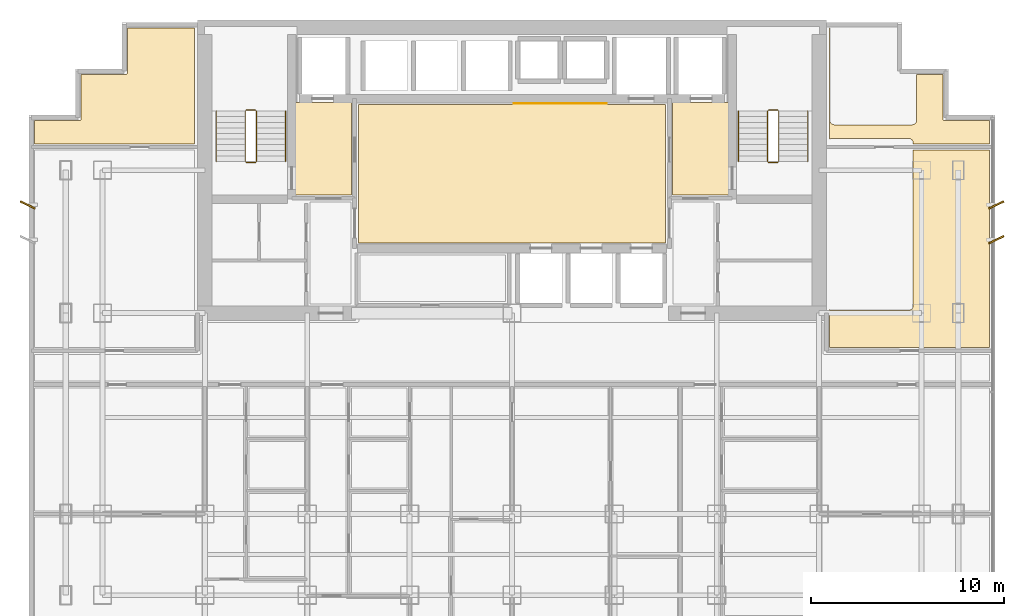
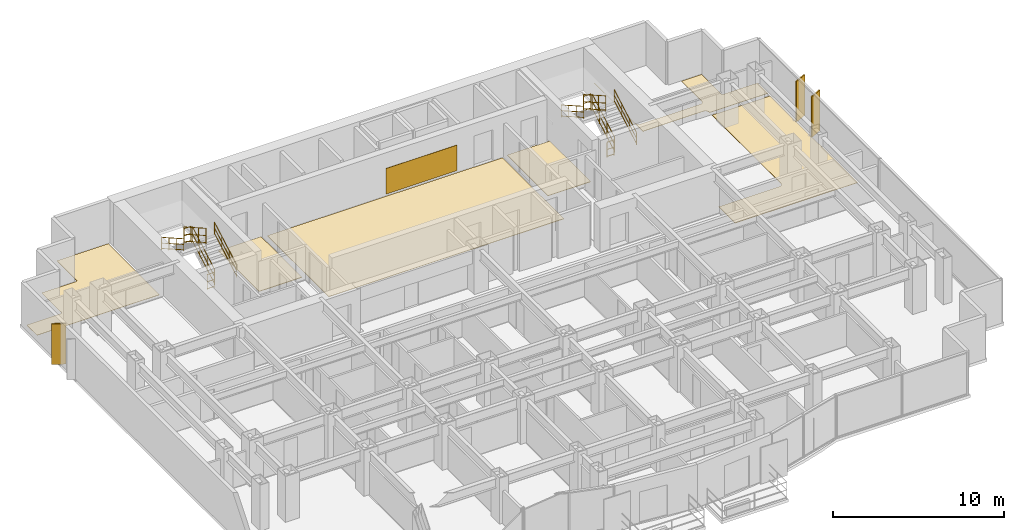
# One storey, part 12 of 12: 12 railings, 7 coverings, 3 shading devices.
"""IFC4 building model written with IfcOpenShell, lengths in metres."""

from ifc_helpers import new_model, si_unit, direction, frame, origin, origin_2d, place, context, subcontext, project, spatial, polyline, rectangle, circle, outline, extrude, source, transform, mapped, material, layer, layer_set, type_object, element, save


model = new_model("IFC4")

# Units and contexts
model_context = context("Model", 3, precision=1e-05, world=origin(), true_north=direction((0.0, 1.0)))
body_context = subcontext(model_context, "Body", "Model", "MODEL_VIEW")
ifc_project = project(units=[si_unit("LENGTHUNIT", "METRE"), si_unit("AREAUNIT", "SQUARE_METRE"), si_unit("VOLUMEUNIT", "CUBIC_METRE"), si_unit("PLANEANGLEUNIT", "RADIAN"), si_unit("MASSUNIT", "GRAM", prefix="KILO")], contexts=[model_context])

# Site, building, storey
site_placement = place(None, origin())
site = spatial("IfcSite", under=ifc_project, at=site_placement, CompositionType="ELEMENT")
building_placement = place(site_placement, origin())
building = spatial("IfcBuilding", under=site, at=building_placement, Name="Qianlan Lanfeng Residences", CompositionType="ELEMENT")
storey_placement = place(building_placement, frame((0.0, 0.0, 121.300048828125)))
storey = spatial("IfcBuildingStorey", under=building, at=storey_placement, Name="L33", CompositionType="ELEMENT", Elevation=121.300048828125)

# Coverings
ifc_material_1 = material(Name="Anodised Bronze Feature Wall Cladding")
ifc_layer_1 = layer(ifc_material_1, 0.02490234375)
ifc_layer_set_1 = layer_set([ifc_layer_1], Name="Anodised Bronze Feature Wall Cladding")
covering_type_1 = type_object("IfcCoveringType", Name="CLD-BRZ-25", PredefinedType="CLADDING", material=ifc_layer_set_1)
covering_1_placement = place(storey_placement, frame((0.0, 0.0, 0.14990234375)))
element("IfcCovering", 1, at=covering_1_placement, inside=storey, type_object=covering_type_1, Name="L33 Lift Lobby Bronze Feature Cladding", PredefinedType="CLADDING", context=body_context, shape_type="SweptSolid", body=[
    extrude(outline(polyline([(26.60009765625, 36.050048828125), (31.39990234375, 36.050048828125), (31.39990234375, 36.074951171875), (26.60009765625, 36.074951171875), (26.60009765625, 36.050048828125)])), origin(), (0.0, 0.0, 1.0), 1.830078125),
])
ifc_material_2 = material(Name="Honed Taitung Granite Stone Flooring", Category="masonry")
ifc_layer_2 = layer(ifc_material_2, 0.030029296875)
ifc_layer_set_2 = layer_set([ifc_layer_2], Name="Honed Taitung Granite Stone Flooring")
covering_type_2 = type_object("IfcCoveringType", Name="FLR-STN-30", PredefinedType="FLOORING", material=ifc_layer_set_2)
covering_2_placement = place(storey_placement, origin())
element("IfcCovering", 2, at=covering_2_placement, inside=storey, type_object=covering_type_2, Name="L33 Firefighting Lift Lobby Floor Finish", PredefinedType="FLOORING", context=body_context, shape_type="SweptSolid", body=[
    extrude(outline(polyline([(15.2900390625, 31.320068359375), (18.179931640625, 31.320068359375), (18.179931640625, 36.110107421875), (15.2900390625, 36.110107421875), (15.2900390625, 31.320068359375)])), origin(), (0.0, 0.0, 1.0), 0.030029296875),
])
covering_3_placement = place(storey_placement, origin())
element("IfcCovering", 3, at=covering_3_placement, inside=storey, type_object=covering_type_2, Name="L33 Firefighting Lift Lobby Floor Finish", PredefinedType="FLOORING", context=body_context, shape_type="SweptSolid", body=[
    extrude(outline(polyline([(34.820068359375, 31.320068359375), (37.7099609375, 31.320068359375), (37.7099609375, 36.110107421875), (34.820068359375, 36.110107421875), (34.820068359375, 31.320068359375)])), origin(), (0.0, 0.0, 1.0), 0.030029296875),
])
covering_4_placement = place(storey_placement, origin())
element("IfcCovering", 4, at=covering_4_placement, inside=storey, type_object=covering_type_2, Name="L33 Lift Lobby Floor Finish", PredefinedType="FLOORING", context=body_context, shape_type="SweptSolid", body=[
    extrude(outline(polyline([(18.550048828125, 28.820068359375), (34.449951171875, 28.820068359375), (34.449951171875, 36.010009765625), (18.550048828125, 36.010009765625), (18.550048828125, 28.820068359375)])), origin(), (0.0, 0.0, 1.0), 0.030029296875),
])
ifc_material_3 = material(Name="Engineered Smoked Oak Timber Flooring", Category="wood")
ifc_layer_3 = layer(ifc_material_3, 0.02197265625)
ifc_layer_set_3 = layer_set([ifc_layer_3], Name="Engineered Smoked Oak Timber Flooring")
covering_type_3 = type_object("IfcCoveringType", Name="FLR-TIM-22", PredefinedType="FLOORING", material=ifc_layer_set_3)
covering_5_placement = place(storey_placement, origin())
element("IfcCovering", 5, at=covering_5_placement, inside=storey, type_object=covering_type_3, Name="L33 Resident Lounge Floor Finish", PredefinedType="FLOORING", context=body_context, shape_type="SweptSolid", body=[
    extrude(outline(polyline([(1.7900390625, 33.949951171875), (10.074951171875, 33.949951171875), (10.074951171875, 39.9599609375), (6.590087890625, 39.9599609375), (6.590087890625, 37.6298828125), (6.590087890625, 37.623046875), (6.589111328125, 37.615966796875), (6.5869140625, 37.610107421875), (6.5849609375, 37.60302734375), (6.58203125, 37.596923828125), (6.577880859375, 37.591064453125), (6.573974609375, 37.5859375), (6.569091796875, 37.5810546875), (6.56396484375, 37.575927734375), (6.55908203125, 37.572021484375), (6.552978515625, 37.568115234375), (6.547119140625, 37.56494140625), (6.5400390625, 37.56298828125), (6.533935546875, 37.56103515625), (6.527099609375, 37.56005859375), (6.52001953125, 37.56005859375), (4.18994140625, 37.56005859375), (4.18994140625, 35.22998046875), (4.18994140625, 35.222900390625), (4.18896484375, 35.216064453125), (4.18701171875, 35.2099609375), (4.18505859375, 35.202880859375), (4.181884765625, 35.197021484375), (4.177978515625, 35.19091796875), (4.174072265625, 35.18603515625), (4.1689453125, 35.180908203125), (4.1640625, 35.176025390625), (4.158935546875, 35.172119140625), (4.153076171875, 35.16796875), (4.14697265625, 35.1650390625), (4.139892578125, 35.1630859375), (4.134033203125, 35.160888671875), (4.126953125, 35.159912109375), (4.1201171875, 35.159912109375), (1.7900390625, 35.159912109375), (1.7900390625, 33.949951171875)])), origin(), (0.0, 0.0, 1.0), 0.02197265625),
])
covering_6_placement = place(storey_placement, origin())
element("IfcCovering", 6, at=covering_6_placement, inside=storey, type_object=covering_type_3, Name="L33 Aerobics Studio Floor Finish", PredefinedType="FLOORING", context=body_context, shape_type="SweptSolid", body=[
    extrude(outline(polyline([(51.2099609375, 33.64990234375), (47.27001953125, 33.64990234375), (47.27001953125, 25.60009765625), (47.26904296875, 25.574951171875), (47.264892578125, 25.551025390625), (47.259033203125, 25.527099609375), (47.2509765625, 25.50390625), (47.239990234375, 25.48193359375), (47.22802734375, 25.4609375), (47.212890625, 25.44091796875), (47.197021484375, 25.423095703125), (47.178955078125, 25.406982421875), (47.158935546875, 25.39208984375), (47.137939453125, 25.3798828125), (47.115966796875, 25.368896484375), (47.093017578125, 25.361083984375), (47.069091796875, 25.35498046875), (47.044921875, 25.35107421875), (47.02001953125, 25.35009765625), (43.080078125, 25.35009765625), (43.054931640625, 25.35107421875), (43.031005859375, 25.35498046875), (43.007080078125, 25.361083984375), (42.98388671875, 25.368896484375), (42.9619140625, 25.3798828125), (42.94091796875, 25.39208984375), (42.925048828125, 25.404052734375), (42.925048828125, 23.429931640625), (51.2099609375, 23.429931640625), (51.2099609375, 33.64990234375)])), origin(), (0.0, 0.0, 1.0), 0.02197265625),
])
covering_7_placement = place(storey_placement, origin())
element("IfcCovering", 7, at=covering_7_placement, inside=storey, type_object=covering_type_3, Name="L33 Resident Lounge Floor Finish", PredefinedType="FLOORING", context=body_context, shape_type="SweptSolid", body=[
    extrude(outline(polyline([(42.925048828125, 34.196044921875), (42.94091796875, 34.2080078125), (42.9619140625, 34.219970703125), (42.98388671875, 34.23095703125), (43.007080078125, 34.239013671875), (43.031005859375, 34.2451171875), (43.054931640625, 34.2490234375), (43.080078125, 34.25), (47.02001953125, 34.25), (47.044921875, 34.2490234375), (47.069091796875, 34.2451171875), (47.093017578125, 34.239013671875), (47.115966796875, 34.23095703125), (47.137939453125, 34.219970703125), (47.158935546875, 34.2080078125), (47.178955078125, 34.193115234375), (47.197021484375, 34.177001953125), (47.212890625, 34.158935546875), (47.22802734375, 34.138916015625), (47.239990234375, 34.117919921875), (47.2509765625, 34.095947265625), (47.259033203125, 34.072998046875), (47.264892578125, 34.049072265625), (47.26904296875, 34.02490234375), (47.27001953125, 34.0), (47.27001953125, 33.949951171875), (51.2099609375, 33.949951171875), (51.2099609375, 35.159912109375), (48.8798828125, 35.159912109375), (48.873046875, 35.159912109375), (48.865966796875, 35.160888671875), (48.860107421875, 35.1630859375), (48.85302734375, 35.1650390625), (48.846923828125, 35.16796875), (48.841064453125, 35.172119140625), (48.8359375, 35.176025390625), (48.8310546875, 35.180908203125), (48.825927734375, 35.18603515625), (48.822021484375, 35.19091796875), (48.818115234375, 35.197021484375), (48.81494140625, 35.202880859375), (48.81298828125, 35.2099609375), (48.81103515625, 35.216064453125), (48.81005859375, 35.222900390625), (48.81005859375, 35.22998046875), (48.81005859375, 37.56005859375), (47.449951171875, 37.56005859375), (47.449951171875, 35.199951171875), (47.448974609375, 35.175048828125), (47.445068359375, 35.15087890625), (47.43896484375, 35.126953125), (47.430908203125, 35.10400390625), (47.419921875, 35.08203125), (47.407958984375, 35.06103515625), (47.39306640625, 35.041015625), (47.376953125, 35.02294921875), (47.35888671875, 35.007080078125), (47.339111328125, 34.991943359375), (47.318115234375, 34.97998046875), (47.2958984375, 34.968994140625), (47.27294921875, 34.9609375), (47.2490234375, 34.955078125), (47.22509765625, 34.950927734375), (47.199951171875, 34.949951171875), (43.199951171875, 34.949951171875), (43.175048828125, 34.950927734375), (43.15087890625, 34.955078125), (43.126953125, 34.9609375), (43.10400390625, 34.968994140625), (43.08203125, 34.97998046875), (43.06103515625, 34.991943359375), (43.041015625, 35.007080078125), (43.02294921875, 35.02294921875), (43.007080078125, 35.041015625), (42.991943359375, 35.06103515625), (42.97998046875, 35.08203125), (42.968994140625, 35.10400390625), (42.9609375, 35.126953125), (42.955078125, 35.15087890625), (42.950927734375, 35.175048828125), (42.949951171875, 35.199951171875), (42.949951171875, 39.9599609375), (42.925048828125, 39.9599609375), (42.925048828125, 34.196044921875)])), origin(), (0.0, 0.0, 1.0), 0.02197265625),
])

# Railings
ifc_material_4 = material(Name="Painted Galvanised Steel Guardrail", Category="steel")
railing_type_1 = type_object("IfcRailingType", Name="GR-ST-1120", PredefinedType="GUARDRAIL", material=ifc_material_4)
railing_1_placement = place(storey_placement, frame((13.27001953125, 33.050048828125, 0.1650390625)))
element("IfcRailing", 8, at=railing_1_placement, inside=storey, type_object=railing_type_1, Name="L33 ST-1 stair guard 1", PredefinedType="GUARDRAIL", context=body_context, shape_type="SweptSolid", body=[
    extrude(circle(Radius=0.02392578125, at=origin_2d()), frame((0.0, 0.0, 0.083984375), z_axis=(0.0, 0.869172267526, 0.494509422927), x_axis=(-1.0, 0.0, 0.0)), (0.0, 0.0, 1.0), 3.002685546875),
    extrude(circle(Radius=0.02392578125, at=origin_2d()), frame((0.0, 0.0, 0.58251953125), z_axis=(0.0, 0.869172267526, 0.494509422927), x_axis=(-1.0, 0.0, 0.0)), (0.0, 0.0, 1.0), 3.002685546875),
    extrude(circle(Radius=0.02392578125, at=origin_2d()), frame((0.0, 0.0, 1.09619140625), z_axis=(0.0, 0.869172267526, 0.494509422927), x_axis=(-1.0, 0.0, 0.0)), (0.0, 0.0, 1.0), 3.002685546875),
    extrude(circle(Radius=0.02099609375, at=origin_2d()), origin(), (0.0, 0.0, 1.0), 1.072021484375),
    extrude(circle(Radius=0.02099609375, at=origin_2d()), frame((0.0, 0.869873046875, 0.494873046875)), (0.0, 0.0, 1.0), 1.072021484375),
    extrude(circle(Radius=0.02099609375, at=origin_2d()), frame((0.0, 1.739990234375, 0.989990234375)), (0.0, 0.0, 1.0), 1.072021484375),
    extrude(circle(Radius=0.02099609375, at=origin_2d()), frame((0.0, 2.60986328125, 1.48486328125)), (0.0, 0.0, 1.0), 1.072021484375),
])
railing_2_placement = place(storey_placement, frame((13.219970703125, 35.7099609375, 1.64990234375)))
element("IfcRailing", 9, at=railing_2_placement, inside=storey, type_object=railing_type_1, Name="L33 ST-1 stair guard 2", PredefinedType="GUARDRAIL", context=body_context, shape_type="SweptSolid", body=[
    extrude(circle(Radius=0.02392578125, at=origin_2d()), frame((0.0, 0.0, 0.083984375), z_axis=(-1.0, 0.0, 0.0), x_axis=(0.0, -1.0, 0.0)), (0.0, 0.0, 1.0), 0.47998046875),
    extrude(circle(Radius=0.02392578125, at=origin_2d()), frame((0.0, 0.0, 0.58251953125), z_axis=(-1.0, 0.0, 0.0), x_axis=(0.0, -1.0, 0.0)), (0.0, 0.0, 1.0), 0.47998046875),
    extrude(circle(Radius=0.02392578125, at=origin_2d()), frame((0.0, 0.0, 1.09619140625), z_axis=(-1.0, 0.0, 0.0), x_axis=(0.0, -1.0, 0.0)), (0.0, 0.0, 1.0), 0.47998046875),
    extrude(circle(Radius=0.02099609375, at=origin_2d()), origin(), (0.0, 0.0, 1.0), 1.072021484375),
    extrude(circle(Radius=0.02099609375, at=origin_2d()), frame((-0.47998046875, 0.0, 0.0)), (0.0, 0.0, 1.0), 1.072021484375),
])
railing_3_placement = place(storey_placement, frame((12.68994140625, 35.659912109375, 1.81494140625)))
element("IfcRailing", 10, at=railing_3_placement, inside=storey, type_object=railing_type_1, Name="L33 ST-1 stair guard 3", PredefinedType="GUARDRAIL", context=body_context, shape_type="SweptSolid", body=[
    extrude(circle(Radius=0.02392578125, at=origin_2d()), frame((0.0, 0.0, 0.083984375), z_axis=(0.0, -0.869137319866, 0.494570843475), x_axis=(1.0, 0.0, 0.0)), (0.0, 0.0, 1.0), 3.0029296875),
    extrude(circle(Radius=0.02392578125, at=origin_2d()), frame((0.0, 0.0, 0.58251953125), z_axis=(0.0, -0.869137319866, 0.494570843475), x_axis=(1.0, 0.0, 0.0)), (0.0, 0.0, 1.0), 3.0029296875),
    extrude(circle(Radius=0.02392578125, at=origin_2d()), frame((0.0, 0.0, 1.09619140625), z_axis=(0.0, -0.869137319866, 0.494570843475), x_axis=(1.0, 0.0, 0.0)), (0.0, 0.0, 1.0), 3.0029296875),
    extrude(circle(Radius=0.02099609375, at=origin_2d()), origin(), (0.0, 0.0, 1.0), 1.072021484375),
    extrude(circle(Radius=0.02099609375, at=origin_2d()), frame((0.0, -0.869873046875, 0.4951171875)), (0.0, 0.0, 1.0), 1.072021484375),
    extrude(circle(Radius=0.02099609375, at=origin_2d()), frame((0.0, -1.739990234375, 0.989990234375)), (0.0, 0.0, 1.0), 1.072021484375),
    extrude(circle(Radius=0.02099609375, at=origin_2d()), frame((0.0, -2.60986328125, 1.485107421875)), (0.0, 0.0, 1.0), 1.072021484375),
])
railing_4_placement = place(storey_placement, frame((13.219970703125, 33.0, 0.0)))
element("IfcRailing", 11, at=railing_4_placement, inside=storey, type_object=railing_type_1, Name="L33 ST-1 stair guard 4", PredefinedType="GUARDRAIL", context=body_context, shape_type="SweptSolid", body=[
    extrude(circle(Radius=0.02392578125, at=origin_2d()), frame((0.0, 0.0, 0.083984375), z_axis=(-1.0, 0.0, 0.0), x_axis=(0.0, -1.0, 0.0)), (0.0, 0.0, 1.0), 0.47998046875),
    extrude(circle(Radius=0.02392578125, at=origin_2d()), frame((0.0, 0.0, 0.58251953125), z_axis=(-1.0, 0.0, 0.0), x_axis=(0.0, -1.0, 0.0)), (0.0, 0.0, 1.0), 0.47998046875),
    extrude(circle(Radius=0.02392578125, at=origin_2d()), frame((0.0, 0.0, 1.09619140625), z_axis=(-1.0, 0.0, 0.0), x_axis=(0.0, -1.0, 0.0)), (0.0, 0.0, 1.0), 0.47998046875),
    extrude(circle(Radius=0.02099609375, at=origin_2d()), origin(), (0.0, 0.0, 1.0), 1.072021484375),
    extrude(circle(Radius=0.02099609375, at=origin_2d()), frame((-0.47998046875, 0.0, 0.0)), (0.0, 0.0, 1.0), 1.072021484375),
])
railing_5_placement = place(storey_placement, frame((40.31005859375, 33.050048828125, 0.1650390625)))
element("IfcRailing", 12, at=railing_5_placement, inside=storey, type_object=railing_type_1, Name="L33 ST-2 stair guard 1", PredefinedType="GUARDRAIL", context=body_context, shape_type="SweptSolid", body=[
    extrude(circle(Radius=0.02392578125, at=origin_2d()), frame((0.0, 0.0, 0.083984375), z_axis=(0.0, 0.869172267526, 0.494509422927), x_axis=(-1.0, 0.0, 0.0)), (0.0, 0.0, 1.0), 3.002685546875),
    extrude(circle(Radius=0.02392578125, at=origin_2d()), frame((0.0, 0.0, 0.58251953125), z_axis=(0.0, 0.869172267526, 0.494509422927), x_axis=(-1.0, 0.0, 0.0)), (0.0, 0.0, 1.0), 3.002685546875),
    extrude(circle(Radius=0.02392578125, at=origin_2d()), frame((0.0, 0.0, 1.09619140625), z_axis=(0.0, 0.869172267526, 0.494509422927), x_axis=(-1.0, 0.0, 0.0)), (0.0, 0.0, 1.0), 3.002685546875),
    extrude(circle(Radius=0.02099609375, at=origin_2d()), origin(), (0.0, 0.0, 1.0), 1.072021484375),
    extrude(circle(Radius=0.02099609375, at=origin_2d()), frame((0.0, 0.869873046875, 0.494873046875)), (0.0, 0.0, 1.0), 1.072021484375),
    extrude(circle(Radius=0.02099609375, at=origin_2d()), frame((0.0, 1.739990234375, 0.989990234375)), (0.0, 0.0, 1.0), 1.072021484375),
    extrude(circle(Radius=0.02099609375, at=origin_2d()), frame((0.0, 2.60986328125, 1.48486328125)), (0.0, 0.0, 1.0), 1.072021484375),
])
railing_6_placement = place(storey_placement, frame((40.260009765625, 35.7099609375, 1.64990234375)))
element("IfcRailing", 13, at=railing_6_placement, inside=storey, type_object=railing_type_1, Name="L33 ST-2 stair guard 2", PredefinedType="GUARDRAIL", context=body_context, shape_type="SweptSolid", body=[
    extrude(circle(Radius=0.02392578125, at=origin_2d()), frame((0.0, 0.0, 0.083984375), z_axis=(-1.0, 0.0, 0.0), x_axis=(0.0, -1.0, 0.0)), (0.0, 0.0, 1.0), 0.47998046875),
    extrude(circle(Radius=0.02392578125, at=origin_2d()), frame((0.0, 0.0, 0.58251953125), z_axis=(-1.0, 0.0, 0.0), x_axis=(0.0, -1.0, 0.0)), (0.0, 0.0, 1.0), 0.47998046875),
    extrude(circle(Radius=0.02392578125, at=origin_2d()), frame((0.0, 0.0, 1.09619140625), z_axis=(-1.0, 0.0, 0.0), x_axis=(0.0, -1.0, 0.0)), (0.0, 0.0, 1.0), 0.47998046875),
    extrude(circle(Radius=0.02099609375, at=origin_2d()), origin(), (0.0, 0.0, 1.0), 1.072021484375),
    extrude(circle(Radius=0.02099609375, at=origin_2d()), frame((-0.47998046875, 0.0, 0.0)), (0.0, 0.0, 1.0), 1.072021484375),
])
railing_7_placement = place(storey_placement, frame((39.72998046875, 35.659912109375, 1.81494140625)))
element("IfcRailing", 14, at=railing_7_placement, inside=storey, type_object=railing_type_1, Name="L33 ST-2 stair guard 3", PredefinedType="GUARDRAIL", context=body_context, shape_type="SweptSolid", body=[
    extrude(circle(Radius=0.02392578125, at=origin_2d()), frame((0.0, 0.0, 0.083984375), z_axis=(0.0, -0.869137319866, 0.494570843475), x_axis=(1.0, 0.0, 0.0)), (0.0, 0.0, 1.0), 3.0029296875),
    extrude(circle(Radius=0.02392578125, at=origin_2d()), frame((0.0, 0.0, 0.58251953125), z_axis=(0.0, -0.869137319866, 0.494570843475), x_axis=(1.0, 0.0, 0.0)), (0.0, 0.0, 1.0), 3.0029296875),
    extrude(circle(Radius=0.02392578125, at=origin_2d()), frame((0.0, 0.0, 1.09619140625), z_axis=(0.0, -0.869137319866, 0.494570843475), x_axis=(1.0, 0.0, 0.0)), (0.0, 0.0, 1.0), 3.0029296875),
    extrude(circle(Radius=0.02099609375, at=origin_2d()), origin(), (0.0, 0.0, 1.0), 1.072021484375),
    extrude(circle(Radius=0.02099609375, at=origin_2d()), frame((0.0, -0.869873046875, 0.4951171875)), (0.0, 0.0, 1.0), 1.072021484375),
    extrude(circle(Radius=0.02099609375, at=origin_2d()), frame((0.0, -1.739990234375, 0.989990234375)), (0.0, 0.0, 1.0), 1.072021484375),
    extrude(circle(Radius=0.02099609375, at=origin_2d()), frame((0.0, -2.60986328125, 1.485107421875)), (0.0, 0.0, 1.0), 1.072021484375),
])
railing_8_placement = place(storey_placement, frame((40.260009765625, 33.0, 0.0)))
element("IfcRailing", 15, at=railing_8_placement, inside=storey, type_object=railing_type_1, Name="L33 ST-2 stair guard 4", PredefinedType="GUARDRAIL", context=body_context, shape_type="SweptSolid", body=[
    extrude(circle(Radius=0.02392578125, at=origin_2d()), frame((0.0, 0.0, 0.083984375), z_axis=(-1.0, 0.0, 0.0), x_axis=(0.0, -1.0, 0.0)), (0.0, 0.0, 1.0), 0.47998046875),
    extrude(circle(Radius=0.02392578125, at=origin_2d()), frame((0.0, 0.0, 0.58251953125), z_axis=(-1.0, 0.0, 0.0), x_axis=(0.0, -1.0, 0.0)), (0.0, 0.0, 1.0), 0.47998046875),
    extrude(circle(Radius=0.02392578125, at=origin_2d()), frame((0.0, 0.0, 1.09619140625), z_axis=(-1.0, 0.0, 0.0), x_axis=(0.0, -1.0, 0.0)), (0.0, 0.0, 1.0), 0.47998046875),
    extrude(circle(Radius=0.02099609375, at=origin_2d()), origin(), (0.0, 0.0, 1.0), 1.072021484375),
    extrude(circle(Radius=0.02099609375, at=origin_2d()), frame((-0.47998046875, 0.0, 0.0)), (0.0, 0.0, 1.0), 1.072021484375),
])
ifc_material_5 = material(Name="Brushed Stainless Steel Handrail", Category="steel")
railing_type_2 = type_object("IfcRailingType", Name="HR-ST-920", PredefinedType="HANDRAIL", material=ifc_material_5)
railing_9_placement = place(storey_placement, frame((14.77001953125, 33.050048828125, 0.1650390625)))
element("IfcRailing", 16, at=railing_9_placement, inside=storey, type_object=railing_type_2, Name="L33 ST-1 stair handrail 1", PredefinedType="HANDRAIL", context=body_context, shape_type="SweptSolid", body=[
    extrude(circle(Radius=0.02392578125, at=origin_2d()), frame((0.0, 0.0, 0.083984375), z_axis=(0.0, 0.869172267526, 0.494509422927), x_axis=(-1.0, 0.0, 0.0)), (0.0, 0.0, 1.0), 3.002685546875),
    extrude(circle(Radius=0.02392578125, at=origin_2d()), frame((0.0, 0.0, 0.468017578125), z_axis=(0.0, 0.869172267526, 0.494509422927), x_axis=(-1.0, 0.0, 0.0)), (0.0, 0.0, 1.0), 3.002685546875),
    extrude(circle(Radius=0.02392578125, at=origin_2d()), frame((0.0, 0.0, 0.8759765625), z_axis=(0.0, 0.869172267526, 0.494509422927), x_axis=(-1.0, 0.0, 0.0)), (0.0, 0.0, 1.0), 3.002685546875),
    extrude(circle(Radius=0.02099609375, at=origin_2d()), origin(), (0.0, 0.0, 1.0), 0.851806640625),
    extrude(circle(Radius=0.02099609375, at=origin_2d()), frame((0.0, 0.869873046875, 0.494873046875)), (0.0, 0.0, 1.0), 0.851806640625),
    extrude(circle(Radius=0.02099609375, at=origin_2d()), frame((0.0, 1.739990234375, 0.989990234375)), (0.0, 0.0, 1.0), 0.851806640625),
    extrude(circle(Radius=0.02099609375, at=origin_2d()), frame((0.0, 2.60986328125, 1.48486328125)), (0.0, 0.0, 1.0), 0.851806640625),
])
railing_10_placement = place(storey_placement, frame((11.18994140625, 35.659912109375, 1.81494140625)))
element("IfcRailing", 17, at=railing_10_placement, inside=storey, type_object=railing_type_2, Name="L33 ST-1 stair handrail 2", PredefinedType="HANDRAIL", context=body_context, shape_type="SweptSolid", body=[
    extrude(circle(Radius=0.02392578125, at=origin_2d()), frame((0.0, 0.0, 0.083984375), z_axis=(0.0, -0.869137319866, 0.494570843475), x_axis=(1.0, 0.0, 0.0)), (0.0, 0.0, 1.0), 3.0029296875),
    extrude(circle(Radius=0.02392578125, at=origin_2d()), frame((0.0, 0.0, 0.468017578125), z_axis=(0.0, -0.869137319866, 0.494570843475), x_axis=(1.0, 0.0, 0.0)), (0.0, 0.0, 1.0), 3.0029296875),
    extrude(circle(Radius=0.02392578125, at=origin_2d()), frame((0.0, 0.0, 0.8759765625), z_axis=(0.0, -0.869137319866, 0.494570843475), x_axis=(1.0, 0.0, 0.0)), (0.0, 0.0, 1.0), 3.0029296875),
    extrude(circle(Radius=0.02099609375, at=origin_2d()), origin(), (0.0, 0.0, 1.0), 0.851806640625),
    extrude(circle(Radius=0.02099609375, at=origin_2d()), frame((0.0, -0.869873046875, 0.4951171875)), (0.0, 0.0, 1.0), 0.851806640625),
    extrude(circle(Radius=0.02099609375, at=origin_2d()), frame((0.0, -1.739990234375, 0.989990234375)), (0.0, 0.0, 1.0), 0.851806640625),
    extrude(circle(Radius=0.02099609375, at=origin_2d()), frame((0.0, -2.60986328125, 1.485107421875)), (0.0, 0.0, 1.0), 0.851806640625),
])
railing_11_placement = place(storey_placement, frame((41.81005859375, 33.050048828125, 0.1650390625)))
element("IfcRailing", 18, at=railing_11_placement, inside=storey, type_object=railing_type_2, Name="L33 ST-2 stair handrail 1", PredefinedType="HANDRAIL", context=body_context, shape_type="SweptSolid", body=[
    extrude(circle(Radius=0.02392578125, at=origin_2d()), frame((0.0, 0.0, 0.083984375), z_axis=(0.0, 0.869172267526, 0.494509422927), x_axis=(-1.0, 0.0, 0.0)), (0.0, 0.0, 1.0), 3.002685546875),
    extrude(circle(Radius=0.02392578125, at=origin_2d()), frame((0.0, 0.0, 0.468017578125), z_axis=(0.0, 0.869172267526, 0.494509422927), x_axis=(-1.0, 0.0, 0.0)), (0.0, 0.0, 1.0), 3.002685546875),
    extrude(circle(Radius=0.02392578125, at=origin_2d()), frame((0.0, 0.0, 0.8759765625), z_axis=(0.0, 0.869172267526, 0.494509422927), x_axis=(-1.0, 0.0, 0.0)), (0.0, 0.0, 1.0), 3.002685546875),
    extrude(circle(Radius=0.02099609375, at=origin_2d()), origin(), (0.0, 0.0, 1.0), 0.851806640625),
    extrude(circle(Radius=0.02099609375, at=origin_2d()), frame((0.0, 0.869873046875, 0.494873046875)), (0.0, 0.0, 1.0), 0.851806640625),
    extrude(circle(Radius=0.02099609375, at=origin_2d()), frame((0.0, 1.739990234375, 0.989990234375)), (0.0, 0.0, 1.0), 0.851806640625),
    extrude(circle(Radius=0.02099609375, at=origin_2d()), frame((0.0, 2.60986328125, 1.48486328125)), (0.0, 0.0, 1.0), 0.851806640625),
])
railing_12_placement = place(storey_placement, frame((38.22998046875, 35.659912109375, 1.81494140625)))
element("IfcRailing", 19, at=railing_12_placement, inside=storey, type_object=railing_type_2, Name="L33 ST-2 stair handrail 2", PredefinedType="HANDRAIL", context=body_context, shape_type="SweptSolid", body=[
    extrude(circle(Radius=0.02392578125, at=origin_2d()), frame((0.0, 0.0, 0.083984375), z_axis=(0.0, -0.869137319866, 0.494570843475), x_axis=(1.0, 0.0, 0.0)), (0.0, 0.0, 1.0), 3.0029296875),
    extrude(circle(Radius=0.02392578125, at=origin_2d()), frame((0.0, 0.0, 0.468017578125), z_axis=(0.0, -0.869137319866, 0.494570843475), x_axis=(1.0, 0.0, 0.0)), (0.0, 0.0, 1.0), 3.0029296875),
    extrude(circle(Radius=0.02392578125, at=origin_2d()), frame((0.0, 0.0, 0.8759765625), z_axis=(0.0, -0.869137319866, 0.494570843475), x_axis=(1.0, 0.0, 0.0)), (0.0, 0.0, 1.0), 3.0029296875),
    extrude(circle(Radius=0.02099609375, at=origin_2d()), origin(), (0.0, 0.0, 1.0), 0.851806640625),
    extrude(circle(Radius=0.02099609375, at=origin_2d()), frame((0.0, -0.869873046875, 0.4951171875)), (0.0, 0.0, 1.0), 0.851806640625),
    extrude(circle(Radius=0.02099609375, at=origin_2d()), frame((0.0, -1.739990234375, 0.989990234375)), (0.0, 0.0, 1.0), 0.851806640625),
    extrude(circle(Radius=0.02099609375, at=origin_2d()), frame((0.0, -2.60986328125, 1.485107421875)), (0.0, 0.0, 1.0), 0.851806640625),
])

# Shading devices
ifc_material_6 = material(Name="Anodised Bronze Aluminium Solar Fin", Category="aluminium")
shading_device_type = type_object("IfcShadingDeviceType", Name="FIN-BRZ-850", PredefinedType="SHUTTER", material=ifc_material_6)
shared_shape = source(origin(), body_context, "Body", "SweptSolid", [
    extrude(rectangle(XDim=0.85009765625, YDim=0.080078125, at=origin_2d()), origin(), (0.0, 0.0, 1.0), 2.89990234375),
])
for number, where, z_axis, x_axis, name in (
    (20, (1.429931640625, 30.800048828125, 0.0), (0.0, 0.0, 1.0), (0.898794046299, -0.438371146789, 0.0), "L33 Raked Bronze Solar Fin W2"),
    (21, (51.570068359375, 29.0, 0.0), (0.0, 0.0, 1.0), (0.898794046299, 0.438371146789, 0.0), "L33 Raked Bronze Solar Fin E1"),
    (22, (51.570068359375, 30.800048828125, 0.0), (0.0, 0.0, 1.0), (0.898794046299, 0.438371146789, 0.0), "L33 Raked Bronze Solar Fin E2"),
):
    element("IfcShadingDevice", number, at=place(storey_placement, frame(where, z_axis=z_axis, x_axis=x_axis)), inside=storey, type_object=shading_device_type, Name=name, PredefinedType="SHUTTER", context=body_context, shape_type="MappedRepresentation", body=[
        mapped(shared_shape, transform((0.0, 0.0, 0.0), scale=1.0)),
    ])

save(model, "model.ifc")
